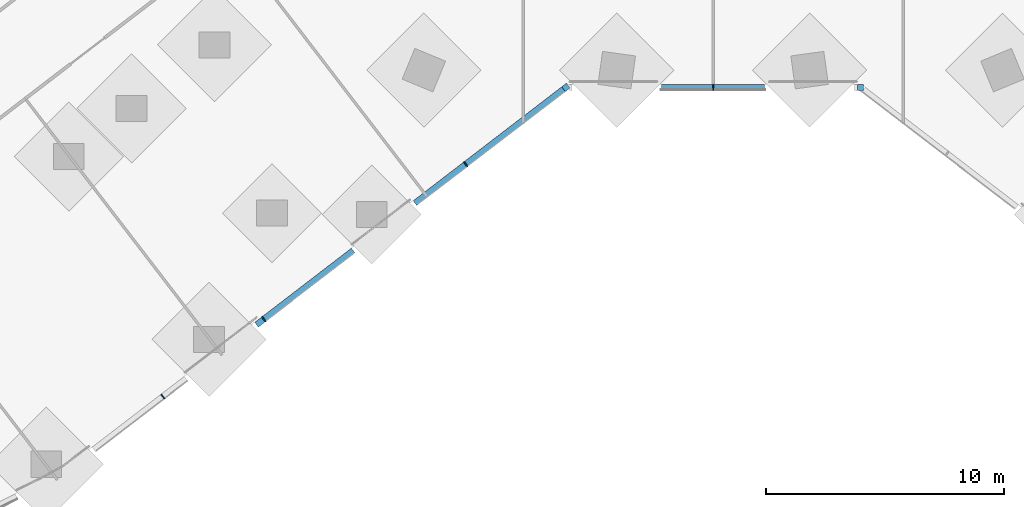
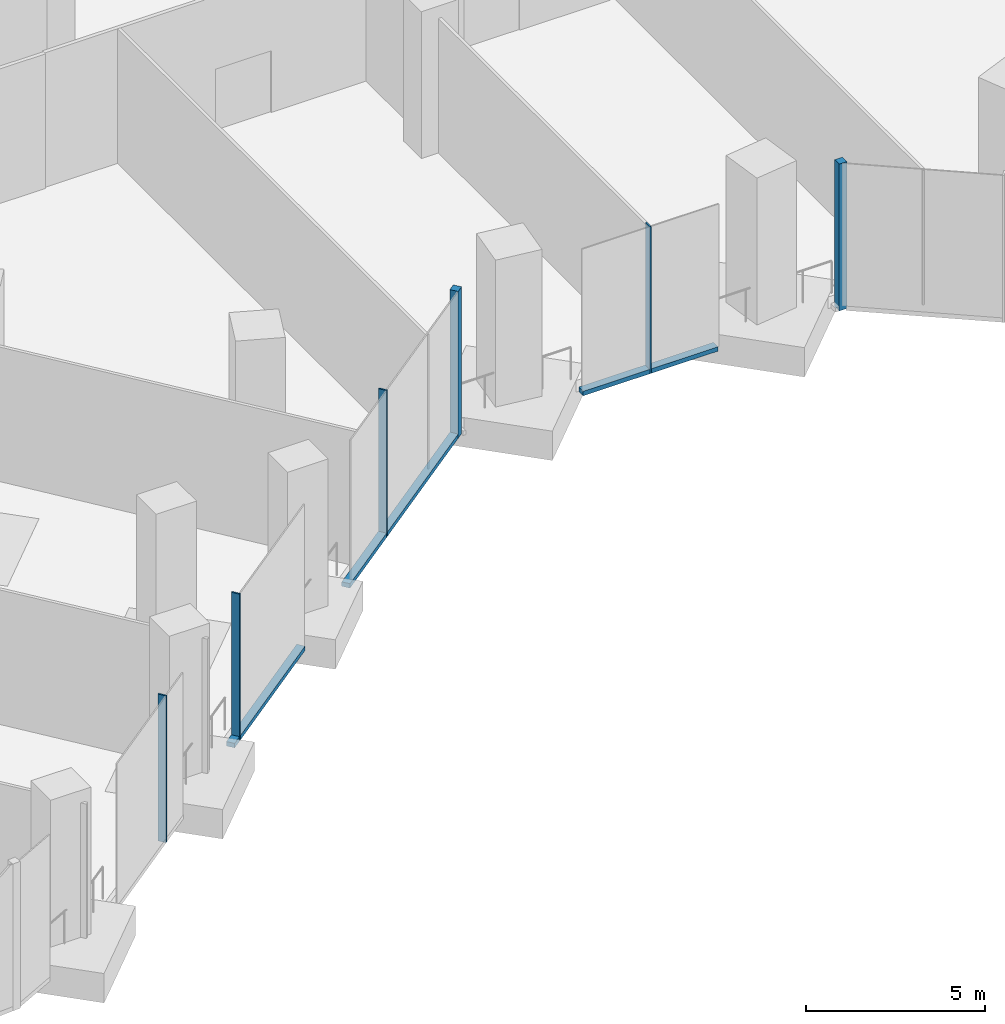
# One storey, part 4 of 27: 9 members, 2 elements without a shape of their own.
"""IFC4 building model written with IfcOpenShell, lengths in metres."""

from ifc_helpers import new_model, si_unit, direction, frame, origin, origin_2d, place, context, subcontext, project, spatial, rectangle, extrude, material, material_profile, profile_set, type_object, element, aggregate, save


model = new_model("IFC4")

# Units and contexts
model_context = context("Model", 3, precision=1e-05, world=origin(), true_north=direction((0.0, 1.0)))
body_context = subcontext(model_context, "Body", "Model", "MODEL_VIEW")
ifc_project = project(units=[si_unit("LENGTHUNIT", "METRE"), si_unit("AREAUNIT", "SQUARE_METRE"), si_unit("VOLUMEUNIT", "CUBIC_METRE"), si_unit("PLANEANGLEUNIT", "RADIAN"), si_unit("MASSUNIT", "GRAM", prefix="KILO")], contexts=[model_context])

# Site, building, storey
site_placement = place(None, origin())
site = spatial("IfcSite", under=ifc_project, at=site_placement, CompositionType="ELEMENT")
building_placement = place(site_placement, origin())
building = spatial("IfcBuilding", under=site, at=building_placement, Name="Orlundy Tower", CompositionType="ELEMENT")
storey_placement = place(building_placement, frame((0.0, 0.0, 10.5)))
storey = spatial("IfcBuildingStorey", under=building, at=storey_placement, Name="L01", CompositionType="ELEMENT", Elevation=10.5)

# Curtain wall, member
ifc_material_1 = material(Name="Aluminium bronze anodised", Category="aluminium")
curtain_wall_type = type_object("IfcCurtainWallType", Name="CW2 wall", PredefinedType="NOTDEFINED", material=ifc_material_1)
curtain_wall_1_placement = place(storey_placement, origin())
curtain_wall_1 = element("IfcCurtainWall", 1, at=curtain_wall_1_placement, inside=storey, type_object=curtain_wall_type, Name="CW2 run 01", PredefinedType="NOTDEFINED")
ifc_material_2 = material(Name="Aluminium bronze anodised", Category="aluminium")
ifc_material_profile_1 = material_profile(ifc_material_2, rectangle(XDim=0.25, YDim=0.25, at=origin_2d()), Name="CW2 corner post 250x250")
ifc_profile_set_1 = profile_set([ifc_material_profile_1], Name="Aluminium bronze anodised")
member_type_1 = type_object("IfcMemberType", Name="CW2 corner post 250x250", PredefinedType="MULLION", material=ifc_profile_set_1)
member_1_placement = place(storey_placement, frame((6.20068359375, -30.125, -0.39990234375), z_axis=(0.0, 0.0, 1.0), x_axis=(0.0, -1.0, 0.0)))
member_1 = element("IfcMember", 2, at=member_1_placement, type_object=member_type_1, Name="CW2 mullion 7", PredefinedType="MULLION", context=body_context, shape_type="SweptSolid", body=[
    extrude(rectangle(XDim=0.25, YDim=0.25, at=origin_2d()), origin(), (0.0, 0.0, 1.0), 5.0),
])

curtain_wall_2_placement = place(storey_placement, origin())
curtain_wall_2 = element("IfcCurtainWall", 3, at=curtain_wall_2_placement, inside=storey, type_object=curtain_wall_type, Name="CW2 run 02", PredefinedType="NOTDEFINED")
member_2_placement = place(storey_placement, frame((-6.20068359375, -30.125, -0.39990234375), z_axis=(0.0, 0.0, 1.0), x_axis=(0.608763046543, -0.793352099111, 0.0)))
member_2 = element("IfcMember", 4, at=member_2_placement, type_object=member_type_1, Name="CW2 mullion 9", PredefinedType="MULLION", context=body_context, shape_type="SweptSolid", body=[
    extrude(rectangle(XDim=0.25, YDim=0.25, at=origin_2d()), origin(), (0.0, 0.0, 1.0), 5.0),
])

# Member
ifc_material_3 = material(Name="Aluminium bronze anodised", Category="aluminium")
ifc_material_profile_2 = material_profile(ifc_material_3, rectangle(XDim=0.25, YDim=0.050048828125, at=origin_2d()), Name="CW2 mullion 50x250")
ifc_profile_set_2 = profile_set([ifc_material_profile_2], Name="Aluminium bronze anodised")
member_type_2 = type_object("IfcMemberType", Name="CW2 mullion 50x250", PredefinedType="MULLION", material=ifc_profile_set_2)
member_3_placement = place(storey_placement, frame((0.0, -30.125, -0.39990234375), z_axis=(0.0, 0.0, 1.0), x_axis=(0.0, -1.0, 0.0)))
member_3 = element("IfcMember", 5, at=member_3_placement, type_object=member_type_2, Name="CW2 mullion 8", PredefinedType="MULLION", context=body_context, shape_type="SweptSolid", body=[
    extrude(rectangle(XDim=0.25, YDim=0.050048828125, at=origin_2d()), origin(), (0.0, 0.0, 1.0), 5.0),
])

member_4_placement = place(storey_placement, frame((-10.416748046875, -33.360107421875, -0.39990234375), z_axis=(0.0, 0.0, 1.0), x_axis=(0.608763046543, -0.793352099111, 0.0)))
member_4 = element("IfcMember", 6, at=member_4_placement, type_object=member_type_2, Name="CW2 mullion 10", PredefinedType="MULLION", context=body_context, shape_type="SweptSolid", body=[
    extrude(rectangle(XDim=0.25, YDim=0.050048828125, at=origin_2d()), origin(), (0.0, 0.0, 1.0), 5.0),
])

member_5_placement = place(storey_placement, frame((-18.916259765625, -39.882080078125, -0.39990234375), z_axis=(0.0, 0.0, 1.0), x_axis=(0.608763046543, -0.793352099111, 0.0)))
member_5 = element("IfcMember", 7, at=member_5_placement, type_object=member_type_2, Name="CW2 mullion 12", PredefinedType="MULLION", context=body_context, shape_type="SweptSolid", body=[
    extrude(rectangle(XDim=0.25, YDim=0.050048828125, at=origin_2d()), origin(), (0.0, 0.0, 1.0), 5.0),
])

member_6_placement = place(storey_placement, frame((-23.166015625, -43.14306640625, -0.39990234375), z_axis=(0.0, 0.0, 1.0), x_axis=(0.608763046543, -0.793352099111, 0.0)))
member_6 = element("IfcMember", 8, at=member_6_placement, type_object=member_type_2, Name="CW2 mullion 13", PredefinedType="MULLION", context=body_context, shape_type="SweptSolid", body=[
    extrude(rectangle(XDim=0.25, YDim=0.050048828125, at=origin_2d()), origin(), (0.0, 0.0, 1.0), 5.0),
])

ifc_material_4 = material(Name="Aluminium bronze anodised", Category="aluminium")
ifc_material_profile_3 = material_profile(ifc_material_4, rectangle(XDim=0.25, YDim=0.14990234375, at=origin_2d()), Name="CW2 transom 250x150")
ifc_profile_set_3 = profile_set([ifc_material_profile_3], Name="Aluminium bronze anodised")
member_type_3 = type_object("IfcMemberType", Name="CW2 transom 250x150", PredefinedType="USERDEFINED", material=ifc_profile_set_3)
member_7_placement = place(storey_placement, frame((2.167724609375, -30.125, -0.324951171875), z_axis=(-1.0, 0.0, 0.0), x_axis=(0.0, -1.0, 0.0)))
member_7 = element("IfcMember", 9, at=member_7_placement, type_object=member_type_3, Name="CW2 transom", ObjectType="TRANSOM", PredefinedType="USERDEFINED", context=body_context, shape_type="SweptSolid", body=[
    extrude(rectangle(XDim=0.25, YDim=0.14990234375, at=origin_2d()), origin(), (0.0, 0.0, 1.0), 4.33544921875),
])

aggregate(curtain_wall_1, [member_1, member_3, member_7])

member_8_placement = place(storey_placement, frame((-6.2998046875, -30.201171875, -0.324951171875), z_axis=(-0.7933580295, -0.608755317865, 0.0), x_axis=(0.608755317865, -0.7933580295, 0.0)))
member_8 = element("IfcMember", 10, at=member_8_placement, type_object=member_type_3, Name="CW2 transom", ObjectType="TRANSOM", PredefinedType="USERDEFINED", context=body_context, shape_type="SweptSolid", body=[
    extrude(rectangle(XDim=0.25, YDim=0.14990234375, at=origin_2d()), origin(), (0.0, 0.0, 1.0), 7.88232421875),
])

member_9_placement = place(storey_placement, frame((-15.15380859375, -36.9951171875, -0.324951171875), z_axis=(-0.793359584106, -0.608753291825, 0.0), x_axis=(0.608753291825, -0.793359584106, 0.0)))
member_9 = element("IfcMember", 11, at=member_9_placement, type_object=member_type_3, Name="CW2 transom", ObjectType="TRANSOM", PredefinedType="USERDEFINED", context=body_context, shape_type="SweptSolid", body=[
    extrude(rectangle(XDim=0.25, YDim=0.14990234375, at=origin_2d()), origin(), (0.0, 0.0, 1.0), 5.128662109375),
])

aggregate(curtain_wall_2, [member_2, member_4, member_5, member_6, member_8, member_9])

save(model, "model.ifc")
